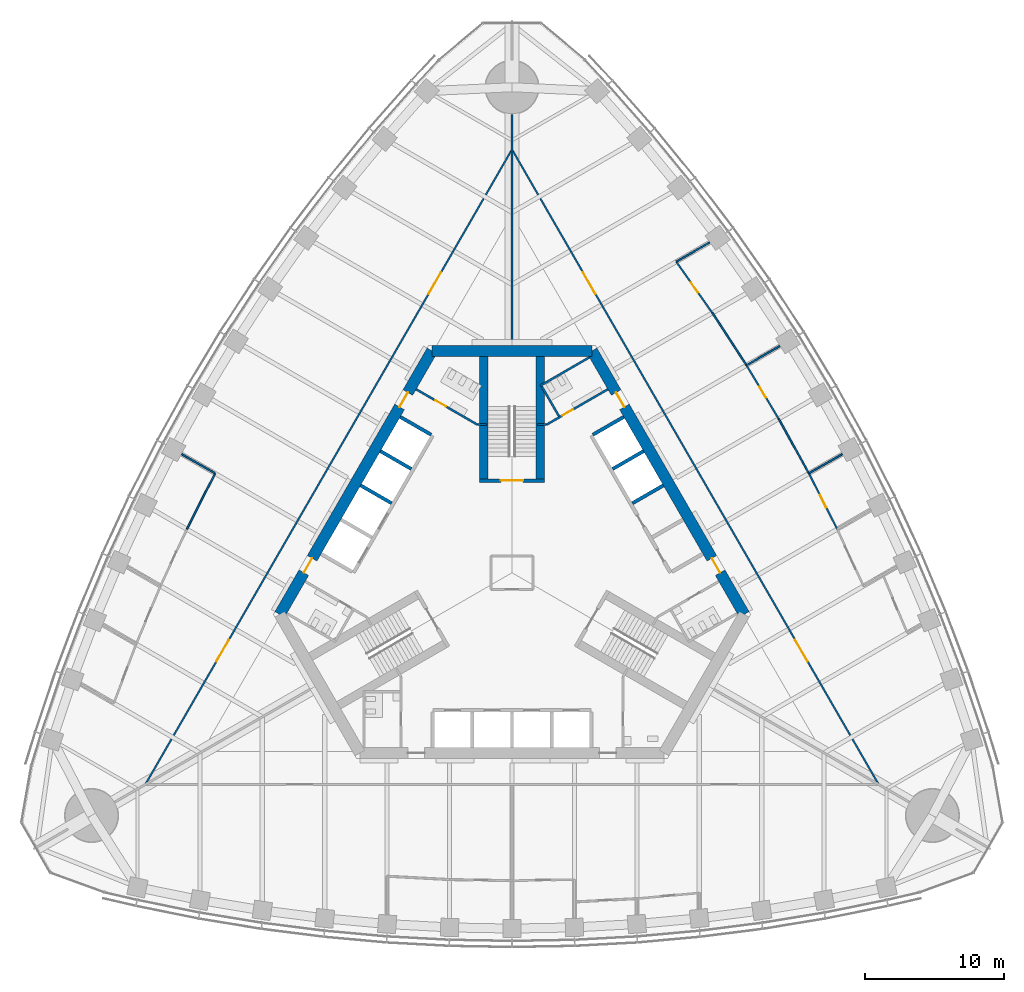
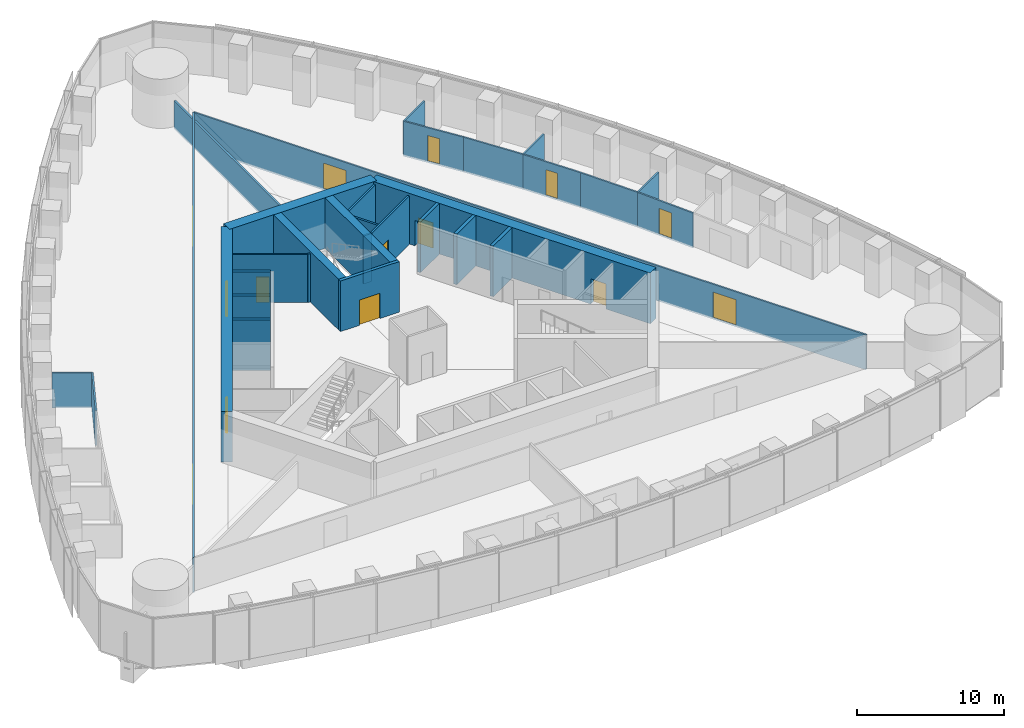
# One storey, part 13 of 19: 31 walls, 14 doors, 14 openings.
"""IFC4 building model written with IfcOpenShell, lengths in metres."""

from ifc_helpers import new_model, si_unit, direction, frame, frame_2d, origin, place, context, subcontext, project, spatial, rectangle, extrude, material, layer, layer_set, type_object, element, fill, save


model = new_model("IFC4")

# Units and contexts
model_context = context("Model", 3, precision=1e-05, world=origin(), true_north=direction((0.0, 1.0)))
body_context = subcontext(model_context, "Body", "Model", "MODEL_VIEW")
ifc_project = project(units=[si_unit("LENGTHUNIT", "METRE"), si_unit("AREAUNIT", "SQUARE_METRE"), si_unit("VOLUMEUNIT", "CUBIC_METRE"), si_unit("PLANEANGLEUNIT", "RADIAN"), si_unit("MASSUNIT", "GRAM", prefix="KILO")], contexts=[model_context])

# Site, building, storey
site_placement = place(None, origin())
site = spatial("IfcSite", under=ifc_project, at=site_placement, CompositionType="ELEMENT")
building_placement = place(site_placement, origin())
building = spatial("IfcBuilding", under=site, at=building_placement, Name="Trefoil Bronze Tower", CompositionType="ELEMENT")
storey_placement = place(building_placement, frame((0.0, 0.0, 119.89990234375)))
storey = spatial("IfcBuildingStorey", under=building, at=storey_placement, Name="L27", CompositionType="ELEMENT", Elevation=119.89990234375)

# Wall, openings, doors
ifc_material_1 = material(Name="Concrete B80", Category="concrete")
ifc_layer_1 = layer(ifc_material_1, 0.800048828125)
ifc_layer_set_1 = layer_set([ifc_layer_1], Name="Core wall 800")
wall_type_1 = type_object("IfcWallType", Name="Core wall 800", PredefinedType="SHEAR", material=ifc_layer_set_1)
wall_1_placement = place(storey_placement, frame((16.7431640625, -3.0, 0.0), z_axis=(0.0, 0.0, 1.0), x_axis=(-0.500002442456, 0.866023993627, 0.0)))
wall_1 = element("IfcWall", 1, at=wall_1_placement, inside=storey, type_object=wall_type_1, Name="Core long wall 2 L27", PredefinedType="SHEAR", context=body_context, shape_type="SweptSolid", body=[
    extrude(rectangle(XDim=21.939453125, YDim=0.800048828125, at=frame_2d((10.9697265625, 0.0))), origin(), (0.0, 0.0, 1.0), 4.2001953125),
])
opening_1_placement = place(wall_1_placement, frame((17.269775390625, 0.0, 0.0)))
opening_1 = element("IfcOpeningElement", 2, at=opening_1_placement, cuts=wall_1, Name="Opening D2", PredefinedType="OPENING", context=body_context, shape_type="SweptSolid", body=[
    extrude(rectangle(XDim=1.199951171875, YDim=2.10009765625, at=frame_2d((0.60009765625, 1.050048828125))), frame((0.0, 0.409912109375, 0.0), z_axis=(0.0, -1.0, 0.0), x_axis=(1.0, 0.0, 0.0)), (0.0, 0.0, 1.0), 0.820068359375),
])
opening_2_placement = place(wall_1_placement, frame((3.4697265625, 0.0, 0.0)))
opening_2 = element("IfcOpeningElement", 3, at=opening_2_placement, cuts=wall_1, Name="Opening D2", PredefinedType="OPENING", context=body_context, shape_type="SweptSolid", body=[
    extrude(rectangle(XDim=1.199951171875, YDim=2.10009765625, at=frame_2d((0.60009765625, 1.050048828125))), frame((0.0, 0.409912109375, 0.0), z_axis=(0.0, -1.0, 0.0), x_axis=(1.0, 0.0, 0.0)), (0.0, 0.0, 1.0), 0.820068359375),
])
ifc_material_2 = material(Name="Steel door", Category="steel")
door_type_1 = type_object("IfcDoorType", Name="Lobby door 1200", OperationType="SINGLE_SWING_RIGHT", PredefinedType="DOOR", material=ifc_material_2)
door_1_placement = place(opening_1_placement, origin())
door_1 = element("IfcDoor", 4, at=door_1_placement, inside=storey, type_object=door_type_1, Name="Lobby door F2+ L27", OperationType="SINGLE_SWING_RIGHT", OverallHeight=2.10009765625, OverallWidth=1.199951171875, PredefinedType="DOOR", context=body_context, shape_type="SweptSolid", body=[
    extrude(rectangle(XDim=1.199951171875, YDim=2.10009765625, at=frame_2d((0.60009765625, 1.050048828125))), frame((0.0, 0.02490234375, 0.0), z_axis=(0.0, -1.0, 0.0), x_axis=(1.0, 0.0, 0.0)), (0.0, 0.0, 1.0), 0.050048828125),
])
fill(opening_1, door_1)
door_2_placement = place(opening_2_placement, origin())
door_2 = element("IfcDoor", 5, at=door_2_placement, inside=storey, type_object=door_type_1, Name="Lobby door F2- L27", OperationType="SINGLE_SWING_LEFT", OverallHeight=2.10009765625, OverallWidth=1.199951171875, PredefinedType="DOOR", context=body_context, shape_type="SweptSolid", body=[
    extrude(rectangle(XDim=1.199951171875, YDim=2.10009765625, at=frame_2d((0.60009765625, 1.050048828125))), frame((0.0, 0.02490234375, 0.0), z_axis=(0.0, -1.0, 0.0), x_axis=(1.0, 0.0, 0.0)), (0.0, 0.0, 1.0), 0.050048828125),
])
fill(opening_2, door_2)

# Wall
wall_2_placement = place(storey_placement, frame((5.7734375, 16.0, 0.0), z_axis=(0.0, 0.0, 1.0), x_axis=(-1.0, 0.0, 0.0)))
element("IfcWall", 6, at=wall_2_placement, inside=storey, type_object=wall_type_1, Name="Core short wall 2 L27", PredefinedType="SHEAR", context=body_context, shape_type="SweptSolid", body=[
    extrude(rectangle(XDim=11.546875, YDim=0.800048828125, at=frame_2d((5.7734375, 0.0))), origin(), (0.0, 0.0, 1.0), 4.2001953125),
])

# Wall, openings, doors
wall_3_placement = place(storey_placement, frame((-5.7734375, 16.0, 0.0), z_axis=(0.0, 0.0, 1.0), x_axis=(-0.500002442456, -0.866023993627, 0.0)))
wall_3 = element("IfcWall", 7, at=wall_3_placement, inside=storey, type_object=wall_type_1, Name="Core long wall 3 L27", PredefinedType="SHEAR", context=body_context, shape_type="SweptSolid", body=[
    extrude(rectangle(XDim=21.939453125, YDim=0.800048828125, at=frame_2d((10.9697265625, 0.0))), origin(), (0.0, 0.0, 1.0), 4.2001953125),
])
opening_3_placement = place(wall_3_placement, frame((17.269775390625, 0.0, 0.0)))
opening_3 = element("IfcOpeningElement", 8, at=opening_3_placement, cuts=wall_3, Name="Opening D2", PredefinedType="OPENING", context=body_context, shape_type="SweptSolid", body=[
    extrude(rectangle(XDim=1.199951171875, YDim=2.10009765625, at=frame_2d((0.60009765625, 1.050048828125))), frame((0.0, 0.409912109375, 0.0), z_axis=(0.0, -1.0, 0.0), x_axis=(1.0, 0.0, 0.0)), (0.0, 0.0, 1.0), 0.820068359375),
])
opening_4_placement = place(wall_3_placement, frame((3.4697265625, 0.0, 0.0)))
opening_4 = element("IfcOpeningElement", 9, at=opening_4_placement, cuts=wall_3, Name="Opening D2", PredefinedType="OPENING", context=body_context, shape_type="SweptSolid", body=[
    extrude(rectangle(XDim=1.199951171875, YDim=2.10009765625, at=frame_2d((0.60009765625, 1.050048828125))), frame((0.0, 0.409912109375, 0.0), z_axis=(0.0, -1.0, 0.0), x_axis=(1.0, 0.0, 0.0)), (0.0, 0.0, 1.0), 0.820068359375),
])
door_3_placement = place(opening_3_placement, origin())
door_3 = element("IfcDoor", 10, at=door_3_placement, inside=storey, type_object=door_type_1, Name="Lobby door F3+ L27", OperationType="SINGLE_SWING_RIGHT", OverallHeight=2.10009765625, OverallWidth=1.199951171875, PredefinedType="DOOR", context=body_context, shape_type="SweptSolid", body=[
    extrude(rectangle(XDim=1.199951171875, YDim=2.10009765625, at=frame_2d((0.60009765625, 1.050048828125))), frame((0.0, 0.02490234375, 0.0), z_axis=(0.0, -1.0, 0.0), x_axis=(1.0, 0.0, 0.0)), (0.0, 0.0, 1.0), 0.050048828125),
])
fill(opening_3, door_3)
door_4_placement = place(opening_4_placement, origin())
door_4 = element("IfcDoor", 11, at=door_4_placement, inside=storey, type_object=door_type_1, Name="Lobby door F3- L27", OperationType="SINGLE_SWING_LEFT", OverallHeight=2.10009765625, OverallWidth=1.199951171875, PredefinedType="DOOR", context=body_context, shape_type="SweptSolid", body=[
    extrude(rectangle(XDim=1.199951171875, YDim=2.10009765625, at=frame_2d((0.60009765625, 1.050048828125))), frame((0.0, 0.02490234375, 0.0), z_axis=(0.0, -1.0, 0.0), x_axis=(1.0, 0.0, 0.0)), (0.0, 0.0, 1.0), 0.050048828125),
])
fill(opening_4, door_4)

ifc_material_3 = material(Name="Glazed partition", Category="glass")
ifc_layer_2 = layer(ifc_material_3, 0.1201171875)
ifc_layer_set_2 = layer_set([ifc_layer_2], Name="Glazed partition 120")
wall_type_2 = type_object("IfcWallType", Name="Glazed partition 120", PredefinedType="PARTITIONING", material=ifc_layer_set_2)
wall_4_placement = place(storey_placement, frame((26.41455078125, -15.2314453125, 0.0), z_axis=(0.0, 0.0, 1.0), x_axis=(-0.50000091641, 0.866024874695, 0.0)))
wall_4 = element("IfcWall", 12, at=wall_4_placement, inside=storey, type_object=wall_type_2, Name="Partition F2 L27", PredefinedType="PARTITIONING", context=body_context, shape_type="SweptSolid", body=[
    extrude(rectangle(XDim=52.79638671875, YDim=0.1201171875, at=frame_2d((26.398193359375, 0.0))), origin(), (0.0, 0.0, 1.0), 2.900146484375),
])
opening_5_placement = place(wall_4_placement, frame((10.199951171875, 0.0, 0.14990234375)))
opening_5 = element("IfcOpeningElement", 13, at=opening_5_placement, cuts=wall_4, Name="Opening D10", PredefinedType="OPENING", context=body_context, shape_type="SweptSolid", body=[
    extrude(rectangle(XDim=1.800048828125, YDim=2.10009765625, at=frame_2d((0.89990234375, 1.050048828125))), frame((0.0, 0.070068359375, 0.0), z_axis=(0.0, -1.0, 0.0), x_axis=(1.0, 0.0, 0.0)), (0.0, 0.0, 1.0), 0.14013671875),
])
opening_6_placement = place(wall_4_placement, frame((40.800048828125, 0.0, 0.14990234375)))
opening_6 = element("IfcOpeningElement", 14, at=opening_6_placement, cuts=wall_4, Name="Opening D10", PredefinedType="OPENING", context=body_context, shape_type="SweptSolid", body=[
    extrude(rectangle(XDim=1.800048828125, YDim=2.10009765625, at=frame_2d((0.89990234375, 1.050048828125))), frame((0.0, 0.070068359375, 0.0), z_axis=(0.0, -1.0, 0.0), x_axis=(1.0, 0.0, 0.0)), (0.0, 0.0, 1.0), 0.14013671875),
])
ifc_material_4 = material(Name="Timber door", Category="wood")
door_type_2 = type_object("IfcDoorType", Name="Double door 1800", OperationType="DOUBLE_DOOR_SINGLE_SWING", PredefinedType="DOOR", material=ifc_material_4)
door_5_placement = place(opening_5_placement, frame((1.800048828125, 0.0, 0.0), z_axis=(0.0, 0.0, 1.0), x_axis=(-1.0, 0.0, 0.0)))
door_5 = element("IfcDoor", 15, at=door_5_placement, inside=storey, type_object=door_type_2, Name="Corridor door F2 L27", OperationType="DOUBLE_DOOR_SINGLE_SWING", OverallHeight=2.10009765625, OverallWidth=1.800048828125, PredefinedType="DOOR", context=body_context, shape_type="SweptSolid", body=[
    extrude(rectangle(XDim=1.800048828125, YDim=2.10009765625, at=frame_2d((0.89990234375, 1.050048828125))), frame((0.0, 0.02490234375, 0.0), z_axis=(0.0, -1.0, 0.0), x_axis=(1.0, 0.0, 0.0)), (0.0, 0.0, 1.0), 0.050048828125),
])
fill(opening_5, door_5)
door_6_placement = place(opening_6_placement, frame((1.800048828125, 0.0, 0.0), z_axis=(0.0, 0.0, 1.0), x_axis=(-1.0, 0.0, 0.0)))
door_6 = element("IfcDoor", 16, at=door_6_placement, inside=storey, type_object=door_type_2, Name="Corridor door F2 L27", OperationType="DOUBLE_DOOR_SINGLE_SWING", OverallHeight=2.10009765625, OverallWidth=1.800048828125, PredefinedType="DOOR", context=body_context, shape_type="SweptSolid", body=[
    extrude(rectangle(XDim=1.800048828125, YDim=2.10009765625, at=frame_2d((0.89990234375, 1.050048828125))), frame((0.0, 0.02490234375, 0.0), z_axis=(0.0, -1.0, 0.0), x_axis=(1.0, 0.0, 0.0)), (0.0, 0.0, 1.0), 0.050048828125),
])
fill(opening_6, door_6)

# Wall, opening, door
wall_5_placement = place(storey_placement, frame((19.2255859375, 11.099853515625, 0.0), z_axis=(0.0, 0.0, 1.0), x_axis=(-0.515548366618, 0.856860479703, 0.0)))
wall_5 = element("IfcWall", 17, at=wall_5_placement, inside=storey, type_object=wall_type_2, Name="Partition F2 L27", PredefinedType="PARTITIONING", context=body_context, shape_type="SweptSolid", body=[
    extrude(rectangle(XDim=4.500732421875, YDim=0.1201171875, at=frame_2d((2.25048828125, 0.0))), origin(), (0.0, 0.0, 1.0), 2.900146484375),
])
opening_7_placement = place(wall_5_placement, frame((1.800048828125, 0.0, 0.14990234375)))
opening_7 = element("IfcOpeningElement", 18, at=opening_7_placement, cuts=wall_5, Name="Opening D8", PredefinedType="OPENING", context=body_context, shape_type="SweptSolid", body=[
    extrude(rectangle(XDim=0.89990234375, YDim=2.10009765625, at=frame_2d((0.449951171875, 1.050048828125))), frame((0.0, 0.070068359375, 0.0), z_axis=(0.0, -1.0, 0.0), x_axis=(1.0, 0.0, 0.0)), (0.0, 0.0, 1.0), 0.14013671875),
])
ifc_material_5 = material(Name="Timber door", Category="wood")
door_type_3 = type_object("IfcDoorType", Name="Office door 900", OperationType="SINGLE_SWING_LEFT", PredefinedType="DOOR", material=ifc_material_5)
door_7_placement = place(opening_7_placement, frame((0.89990234375, 0.0, 0.0), z_axis=(0.0, 0.0, 1.0), x_axis=(-1.0, 0.0, 0.0)))
door_7 = element("IfcDoor", 19, at=door_7_placement, inside=storey, type_object=door_type_3, Name="Office door F2 L27", OperationType="SINGLE_SWING_RIGHT", OverallHeight=2.10009765625, OverallWidth=0.89990234375, PredefinedType="DOOR", context=body_context, shape_type="SweptSolid", body=[
    extrude(rectangle(XDim=0.89990234375, YDim=2.10009765625, at=frame_2d((0.449951171875, 1.050048828125))), frame((0.0, 0.02490234375, 0.0), z_axis=(0.0, -1.0, 0.0), x_axis=(1.0, 0.0, 0.0)), (0.0, 0.0, 1.0), 0.050048828125),
])
fill(opening_7, door_7)

# Wall
wall_6_placement = place(storey_placement, frame((16.9052734375, 14.956298828125, 0.0), z_axis=(0.0, 0.0, 1.0), x_axis=(-0.546069464151, 0.837739900161, 0.0)))
element("IfcWall", 20, at=wall_6_placement, inside=storey, type_object=wall_type_2, Name="Partition F2 L27", PredefinedType="PARTITIONING", context=body_context, shape_type="SweptSolid", body=[
    extrude(rectangle(XDim=4.506591796875, YDim=0.1201171875, at=frame_2d((2.25341796875, 0.0))), origin(), (0.0, 0.0, 1.0), 2.900146484375),
])

# Wall, opening, door
wall_7_placement = place(storey_placement, frame((14.4443359375, 18.731689453125, 0.0), z_axis=(0.0, 0.0, 1.0), x_axis=(-0.576023283708, 0.817433285734, 0.0)))
wall_7 = element("IfcWall", 21, at=wall_7_placement, inside=storey, type_object=wall_type_2, Name="Partition F2 L27", PredefinedType="PARTITIONING", context=body_context, shape_type="SweptSolid", body=[
    extrude(rectangle(XDim=4.5185546875, YDim=0.1201171875, at=frame_2d((2.25927734375, 0.0))), origin(), (0.0, 0.0, 1.0), 2.900146484375),
])
opening_8_placement = place(wall_7_placement, frame((1.800048828125, 0.0, 0.14990234375)))
opening_8 = element("IfcOpeningElement", 22, at=opening_8_placement, cuts=wall_7, Name="Opening D8", PredefinedType="OPENING", context=body_context, shape_type="SweptSolid", body=[
    extrude(rectangle(XDim=0.89990234375, YDim=2.10009765625, at=frame_2d((0.449951171875, 1.050048828125))), frame((0.0, 0.070068359375, 0.0), z_axis=(0.0, -1.0, 0.0), x_axis=(1.0, 0.0, 0.0)), (0.0, 0.0, 1.0), 0.14013671875),
])
door_8_placement = place(opening_8_placement, frame((0.89990234375, 0.0, 0.0), z_axis=(0.0, 0.0, 1.0), x_axis=(-1.0, 0.0, 0.0)))
door_8 = element("IfcDoor", 23, at=door_8_placement, inside=storey, type_object=door_type_3, Name="Office door F2 L27", OperationType="SINGLE_SWING_RIGHT", OverallHeight=2.10009765625, OverallWidth=0.89990234375, PredefinedType="DOOR", context=body_context, shape_type="SweptSolid", body=[
    extrude(rectangle(XDim=0.89990234375, YDim=2.10009765625, at=frame_2d((0.449951171875, 1.050048828125))), frame((0.0, 0.02490234375, 0.0), z_axis=(0.0, -1.0, 0.0), x_axis=(1.0, 0.0, 0.0)), (0.0, 0.0, 1.0), 0.050048828125),
])
fill(opening_8, door_8)

# Wall
wall_8_placement = place(storey_placement, frame((21.4052734375, 7.162109375, 0.0), z_axis=(0.0, 0.0, 1.0), x_axis=(-0.484292898211, 0.874905931368, 0.0)))
element("IfcWall", 24, at=wall_8_placement, inside=storey, type_object=wall_type_2, Name="Partition F2 L27", PredefinedType="PARTITIONING", context=body_context, shape_type="SweptSolid", body=[
    extrude(rectangle(XDim=4.500732421875, YDim=0.1201171875, at=frame_2d((2.25048828125, 0.0))), origin(), (0.0, 0.0, 1.0), 2.900146484375),
])

# Wall, opening, door
wall_9_placement = place(storey_placement, frame((23.4443359375, 3.143310546875, 0.0), z_axis=(0.0, 0.0, 1.0), x_axis=(-0.452471679136, 0.891778772779, 0.0)))
wall_9 = element("IfcWall", 25, at=wall_9_placement, inside=storey, type_object=wall_type_2, Name="Partition F2 L27", PredefinedType="PARTITIONING", context=body_context, shape_type="SweptSolid", body=[
    extrude(rectangle(XDim=4.506591796875, YDim=0.1201171875, at=frame_2d((2.25341796875, 0.0))), origin(), (0.0, 0.0, 1.0), 2.900146484375),
])
opening_9_placement = place(wall_9_placement, frame((1.75, 0.0, 0.14990234375)))
opening_9 = element("IfcOpeningElement", 26, at=opening_9_placement, cuts=wall_9, Name="Opening D9", PredefinedType="OPENING", context=body_context, shape_type="SweptSolid", body=[
    extrude(rectangle(XDim=1.0, YDim=2.10009765625, at=frame_2d((0.5, 1.050048828125))), frame((0.0, 0.070068359375, 0.0), z_axis=(0.0, -1.0, 0.0), x_axis=(1.0, 0.0, 0.0)), (0.0, 0.0, 1.0), 0.14013671875),
])
ifc_material_6 = material(Name="Glazed timber door", Category="wood")
door_type_4 = type_object("IfcDoorType", Name="Meeting room door 1000", OperationType="SINGLE_SWING_LEFT", PredefinedType="DOOR", material=ifc_material_6)
door_9_placement = place(opening_9_placement, frame((1.0, 0.0, 0.0), z_axis=(0.0, 0.0, 1.0), x_axis=(-1.0, 0.0, 0.0)))
door_9 = element("IfcDoor", 27, at=door_9_placement, inside=storey, type_object=door_type_4, Name="Meeting room door F2 L27", OperationType="SINGLE_SWING_RIGHT", OverallHeight=2.10009765625, OverallWidth=1.0, PredefinedType="DOOR", context=body_context, shape_type="SweptSolid", body=[
    extrude(rectangle(XDim=1.0, YDim=2.10009765625, at=frame_2d((0.5, 1.050048828125))), frame((0.0, 0.02490234375, 0.0), z_axis=(0.0, -1.0, 0.0), x_axis=(1.0, 0.0, 0.0)), (0.0, 0.0, 1.0), 0.050048828125),
])
fill(opening_9, door_9)

# Walls
wall_10_placement = place(storey_placement, frame((11.841552734375, 22.42529296875, 0.0), z_axis=(0.0, 0.0, 1.0), x_axis=(0.866053089527, 0.499952043821, 0.0)))
element("IfcWall", 28, at=wall_10_placement, inside=storey, type_object=wall_type_2, Name="Partition F2 L27", PredefinedType="PARTITIONING", context=body_context, shape_type="SweptSolid", body=[
    extrude(rectangle(XDim=2.761474609375, YDim=0.1201171875, at=frame_2d((1.380859375, 0.0))), origin(), (0.0, 0.0, 1.0), 2.900146484375),
])
for number, where, z_axis, x_axis, name in (
    (29, (16.9052734375, 14.956298828125, 0.0), (0.0, 0.0, 1.0), (0.866015261085, 0.500017567259, 0.0), "Partition F2 L27"),
    (30, (21.4052734375, 7.162109375, 0.0), (0.0, 0.0, 1.0), (0.866015261085, 0.500017567259, 0.0), "Partition F2 L27"),
):
    element("IfcWall", number, at=place(storey_placement, frame(where, z_axis=z_axis, x_axis=x_axis)), inside=storey, type_object=wall_type_2, Name=name, PredefinedType="PARTITIONING", context=body_context, shape_type="SweptSolid", body=[
        extrude(rectangle(XDim=2.76904296875, YDim=0.1201171875, at=frame_2d((1.384521484375, 0.0))), origin(), (0.0, 0.0, 1.0), 2.900146484375),
    ])

# Wall, openings, doors
wall_11_placement = place(storey_placement, frame((-0.016357421875, 30.491455078125, 0.0), z_axis=(0.0, 0.0, 1.0), x_axis=(-0.50000091641, -0.866024874695, 0.0)))
wall_11 = element("IfcWall", 31, at=wall_11_placement, inside=storey, type_object=wall_type_2, Name="Partition F3 L27", PredefinedType="PARTITIONING", context=body_context, shape_type="SweptSolid", body=[
    extrude(rectangle(XDim=52.79638671875, YDim=0.1201171875, at=frame_2d((26.398193359375, 0.0))), origin(), (0.0, 0.0, 1.0), 2.900146484375),
])
opening_10_placement = place(wall_11_placement, frame((10.199951171875, 0.0, 0.14990234375)))
opening_10 = element("IfcOpeningElement", 32, at=opening_10_placement, cuts=wall_11, Name="Opening D10", PredefinedType="OPENING", context=body_context, shape_type="SweptSolid", body=[
    extrude(rectangle(XDim=1.800048828125, YDim=2.10009765625, at=frame_2d((0.89990234375, 1.050048828125))), frame((0.0, 0.070068359375, 0.0), z_axis=(0.0, -1.0, 0.0), x_axis=(1.0, 0.0, 0.0)), (0.0, 0.0, 1.0), 0.14013671875),
])
opening_11_placement = place(wall_11_placement, frame((40.800048828125, 0.0, 0.14990234375)))
opening_11 = element("IfcOpeningElement", 33, at=opening_11_placement, cuts=wall_11, Name="Opening D10", PredefinedType="OPENING", context=body_context, shape_type="SweptSolid", body=[
    extrude(rectangle(XDim=1.800048828125, YDim=2.10009765625, at=frame_2d((0.89990234375, 1.050048828125))), frame((0.0, 0.070068359375, 0.0), z_axis=(0.0, -1.0, 0.0), x_axis=(1.0, 0.0, 0.0)), (0.0, 0.0, 1.0), 0.14013671875),
])
door_10_placement = place(opening_10_placement, frame((1.800048828125, 0.0, 0.0), z_axis=(0.0, 0.0, 1.0), x_axis=(-1.0, 0.0, 0.0)))
door_10 = element("IfcDoor", 34, at=door_10_placement, inside=storey, type_object=door_type_2, Name="Corridor door F3 L27", OperationType="DOUBLE_DOOR_SINGLE_SWING", OverallHeight=2.10009765625, OverallWidth=1.800048828125, PredefinedType="DOOR", context=body_context, shape_type="SweptSolid", body=[
    extrude(rectangle(XDim=1.800048828125, YDim=2.10009765625, at=frame_2d((0.89990234375, 1.050048828125))), frame((0.0, 0.02490234375, 0.0), z_axis=(0.0, -1.0, 0.0), x_axis=(1.0, 0.0, 0.0)), (0.0, 0.0, 1.0), 0.050048828125),
])
fill(opening_10, door_10)
door_11_placement = place(opening_11_placement, frame((1.800048828125, 0.0, 0.0), z_axis=(0.0, 0.0, 1.0), x_axis=(-1.0, 0.0, 0.0)))
door_11 = element("IfcDoor", 35, at=door_11_placement, inside=storey, type_object=door_type_2, Name="Corridor door F3 L27", OperationType="DOUBLE_DOOR_SINGLE_SWING", OverallHeight=2.10009765625, OverallWidth=1.800048828125, PredefinedType="DOOR", context=body_context, shape_type="SweptSolid", body=[
    extrude(rectangle(XDim=1.800048828125, YDim=2.10009765625, at=frame_2d((0.89990234375, 1.050048828125))), frame((0.0, 0.02490234375, 0.0), z_axis=(0.0, -1.0, 0.0), x_axis=(1.0, 0.0, 0.0)), (0.0, 0.0, 1.0), 0.050048828125),
])
fill(opening_11, door_11)

# Walls
wall_12_placement = place(storey_placement, frame((-21.4052734375, 7.162109375, 0.0), z_axis=(0.0, 0.0, 1.0), x_axis=(-0.452471679136, -0.891778772779, 0.0)))
element("IfcWall", 36, at=wall_12_placement, inside=storey, type_object=wall_type_2, Name="Partition F3 L27", PredefinedType="PARTITIONING", context=body_context, shape_type="SweptSolid", body=[
    extrude(rectangle(XDim=4.506591796875, YDim=0.1201171875, at=frame_2d((2.25341796875, 0.0))), origin(), (0.0, 0.0, 1.0), 2.900146484375),
])
wall_13_placement = place(storey_placement, frame((-21.4052734375, 7.162109375, 0.0), z_axis=(0.0, 0.0, 1.0), x_axis=(-0.866015261085, 0.500017567259, 0.0)))
element("IfcWall", 37, at=wall_13_placement, inside=storey, type_object=wall_type_2, Name="Partition F3 L27", PredefinedType="PARTITIONING", context=body_context, shape_type="SweptSolid", body=[
    extrude(rectangle(XDim=2.76904296875, YDim=0.1201171875, at=frame_2d((1.384521484375, 0.0))), origin(), (0.0, 0.0, 1.0), 2.900146484375),
])

# Wall, opening, door
ifc_material_7 = material(Name="Gypsum board on steel studs", Category="steel")
ifc_layer_3 = layer(ifc_material_7, 0.14990234375)
ifc_layer_set_3 = layer_set([ifc_layer_3], Name="Partition 150")
wall_type_3 = type_object("IfcWallType", Name="Partition 150", PredefinedType="PARTITIONING", material=ifc_layer_set_3)
wall_14_placement = place(storey_placement, frame((2.4951171875, 10.67822265625, 0.0), z_axis=(0.0, 0.0, 1.0), x_axis=(0.86602216432, 0.500005610874, 0.0)))
wall_14 = element("IfcWall", 38, at=wall_14_placement, inside=storey, type_object=wall_type_3, Name="Passage wall F2+ L27", PredefinedType="PARTITIONING", context=body_context, shape_type="SweptSolid", body=[
    extrude(rectangle(XDim=5.10009765625, YDim=0.14990234375, at=frame_2d((2.550048828125, 0.0))), origin(), (0.0, 0.0, 1.0), 4.0),
])
opening_12_placement = place(wall_14_placement, frame((1.300048828125, 0.0, 0.0)))
opening_12 = element("IfcOpeningElement", 39, at=opening_12_placement, cuts=wall_14, Name="Opening D3", PredefinedType="OPENING", context=body_context, shape_type="SweptSolid", body=[
    extrude(rectangle(XDim=0.89990234375, YDim=2.10009765625, at=frame_2d((0.449951171875, 1.050048828125))), frame((0.0, 0.0849609375, 0.0), z_axis=(0.0, -1.0, 0.0), x_axis=(1.0, 0.0, 0.0)), (0.0, 0.0, 1.0), 0.169921875),
])
ifc_material_8 = material(Name="Timber door", Category="wood")
door_type_5 = type_object("IfcDoorType", Name="WC door 900", OperationType="SINGLE_SWING_LEFT", PredefinedType="DOOR", material=ifc_material_8)
door_12_placement = place(opening_12_placement, origin())
door_12 = element("IfcDoor", 40, at=door_12_placement, inside=storey, type_object=door_type_5, Name="WC (men) door L27", OperationType="SINGLE_SWING_LEFT", OverallHeight=2.10009765625, OverallWidth=0.89990234375, PredefinedType="DOOR", context=body_context, shape_type="SweptSolid", body=[
    extrude(rectangle(XDim=0.89990234375, YDim=2.10009765625, at=frame_2d((0.449951171875, 1.050048828125))), frame((0.0, 0.02490234375, 0.0), z_axis=(0.0, -1.0, 0.0), x_axis=(1.0, 0.0, 0.0)), (0.0, 0.0, 1.0), 0.050048828125),
])
fill(opening_12, door_12)

wall_15_placement = place(storey_placement, frame((-2.4951171875, 10.67822265625, 0.0), z_axis=(0.0, 0.0, 1.0), x_axis=(-0.86602216432, 0.500005610874, 0.0)))
wall_15 = element("IfcWall", 41, at=wall_15_placement, inside=storey, type_object=wall_type_3, Name="Passage wall F3- L27", PredefinedType="PARTITIONING", context=body_context, shape_type="SweptSolid", body=[
    extrude(rectangle(XDim=5.10009765625, YDim=0.14990234375, at=frame_2d((2.550048828125, 0.0))), origin(), (0.0, 0.0, 1.0), 4.0),
])
opening_13_placement = place(wall_15_placement, frame((2.60009765625, 0.0, 0.0)))
opening_13 = element("IfcOpeningElement", 42, at=opening_13_placement, cuts=wall_15, Name="Opening D3", PredefinedType="OPENING", context=body_context, shape_type="SweptSolid", body=[
    extrude(rectangle(XDim=0.89990234375, YDim=2.10009765625, at=frame_2d((0.449951171875, 1.050048828125))), frame((0.0, 0.0849609375, 0.0), z_axis=(0.0, -1.0, 0.0), x_axis=(1.0, 0.0, 0.0)), (0.0, 0.0, 1.0), 0.169921875),
])
door_13_placement = place(opening_13_placement, frame((0.89990234375, 0.0, 0.0), z_axis=(0.0, 0.0, 1.0), x_axis=(-1.0, 0.0, 0.0)))
door_13 = element("IfcDoor", 43, at=door_13_placement, inside=storey, type_object=door_type_5, Name="WC (women) door L27", OperationType="SINGLE_SWING_LEFT", OverallHeight=2.10009765625, OverallWidth=0.89990234375, PredefinedType="DOOR", context=body_context, shape_type="SweptSolid", body=[
    extrude(rectangle(XDim=0.89990234375, YDim=2.10009765625, at=frame_2d((0.449951171875, 1.050048828125))), frame((0.0, 0.02490234375, 0.0), z_axis=(0.0, -1.0, 0.0), x_axis=(1.0, 0.0, 0.0)), (0.0, 0.0, 1.0), 0.050048828125),
])
fill(opening_13, door_13)

# Walls
for number, where, z_axis, x_axis, name in (
    (44, (2.4951171875, 10.67822265625, 0.0), (0.0, 0.0, 1.0), (-1.0, 0.0, 0.0), "WC wall ST2-1 L27"),
    (45, (-2.4951171875, 10.67822265625, 0.0), (0.0, 0.0, 1.0), (1.0, 0.0, 0.0), "WC wall ST2+1 L27"),
):
    element("IfcWall", number, at=place(storey_placement, frame(where, z_axis=z_axis, x_axis=x_axis)), inside=storey, type_object=wall_type_3, Name=name, PredefinedType="PARTITIONING", context=body_context, shape_type="SweptSolid", body=[
        extrude(rectangle(XDim=0.64501953125, YDim=0.14990234375, at=frame_2d((0.322509765625, 0.0))), origin(), (0.0, 0.0, 1.0), 4.0),
    ])
wall_16_placement = place(storey_placement, frame((2.03125, 13.48193359375, 0.0), z_axis=(0.0, 0.0, 1.0), x_axis=(0.866050731258, 0.499956128963, 0.0)))
element("IfcWall", 46, at=wall_16_placement, inside=storey, type_object=wall_type_3, Name="WC partition WC (men) L27", PredefinedType="PARTITIONING", context=body_context, shape_type="SweptSolid", body=[
    extrude(rectangle(XDim=4.099853515625, YDim=0.14990234375, at=frame_2d((2.0498046875, 0.0))), origin(), (0.0, 0.0, 1.0), 4.0),
])
wall_17_placement = place(storey_placement, frame((3.388671875, 11.28076171875, 0.0), z_axis=(0.0, 0.0, 1.0), x_axis=(-0.499989096993, 0.866031698547, 0.0)))
element("IfcWall", 47, at=wall_17_placement, inside=storey, type_object=wall_type_3, Name="WC partition WC (men) L27", PredefinedType="PARTITIONING", context=body_context, shape_type="SweptSolid", body=[
    extrude(rectangle(XDim=2.509765625, YDim=0.14990234375, at=frame_2d((1.2548828125, 0.0))), origin(), (0.0, 0.0, 1.0), 4.0),
])
ifc_material_9 = material(Name="Gypsum board on steel studs", Category="steel")
ifc_layer_4 = layer(ifc_material_9, 0.14990234375)
ifc_layer_set_4 = layer_set([ifc_layer_4], Name="Party wall 150")
wall_type_4 = type_object("IfcWallType", Name="Party wall 150", PredefinedType="PARTITIONING", material=ifc_layer_set_4)
wall_18_placement = place(storey_placement, frame((0.0, 16.39990234375, 0.0), z_axis=(0.0, 0.0, 1.0), x_axis=(0.0, 1.0, 0.0)))
element("IfcWall", 48, at=wall_18_placement, inside=storey, type_object=wall_type_4, Name="Party wall K2 L27", PredefinedType="PARTITIONING", context=body_context, shape_type="SweptSolid", body=[
    extrude(rectangle(XDim=16.650146484375, YDim=0.14990234375, at=frame_2d((8.3251953125, 0.0))), origin(), (0.0, 0.0, 1.0), 2.300048828125),
])
ifc_material_10 = material(Name="Concrete B80", Category="concrete")
ifc_layer_5 = layer(ifc_material_10, 0.25)
ifc_layer_set_5 = layer_set([ifc_layer_5], Name="Shaft wall 250")
wall_type_5 = type_object("IfcWallType", Name="Shaft wall 250", PredefinedType="SHEAR", material=ifc_layer_set_5)
for number, where, z_axis, x_axis, name in (
    (49, (8.681884765625, 5.012451171875, 0.0), (0.0, 0.0, 1.0), (0.866005588531, 0.500034319456, 0.0), "Lift shaft side wall B2 L27"),
    (50, (7.2568359375, 7.480712890625, 0.0), (0.0, 0.0, 1.0), (0.866046643894, 0.499963209246, 0.0), "Lift shaft side wall B3 L27"),
):
    element("IfcWall", number, at=place(storey_placement, frame(where, z_axis=z_axis, x_axis=x_axis)), inside=storey, type_object=wall_type_5, Name=name, PredefinedType="SHEAR", context=body_context, shape_type="SweptSolid", body=[
        extrude(rectangle(XDim=2.574951171875, YDim=0.25, at=frame_2d((1.28759765625, 0.0))), origin(), (0.0, 0.0, 1.0), 4.2001953125),
    ])
for number, where, z_axis, x_axis, name in (
    (51, (5.831787109375, 9.94873046875, 0.0), (0.0, 0.0, 1.0), (0.866029291668, 0.499993265928, 0.0), "Lift shaft side wall B4 L27"),
    (52, (-5.831787109375, 9.94873046875, 0.0), (0.0, 0.0, 1.0), (-0.866029291668, 0.499993265928, 0.0), "Lift shaft side wall C0 L27"),
):
    element("IfcWall", number, at=place(storey_placement, frame(where, z_axis=z_axis, x_axis=x_axis)), inside=storey, type_object=wall_type_5, Name=name, PredefinedType="SHEAR", context=body_context, shape_type="SweptSolid", body=[
        extrude(rectangle(XDim=2.5751953125, YDim=0.25, at=frame_2d((1.28759765625, 0.0))), origin(), (0.0, 0.0, 1.0), 4.2001953125),
    ])
for number, where, z_axis, x_axis, name in (
    (53, (-7.2568359375, 7.480712890625, 0.0), (0.0, 0.0, 1.0), (-0.866046643894, 0.499963209246, 0.0), "Lift shaft side wall C1 L27"),
    (54, (-8.681884765625, 5.012451171875, 0.0), (0.0, 0.0, 1.0), (-0.866005588531, 0.500034319456, 0.0), "Lift shaft side wall C2 L27"),
):
    element("IfcWall", number, at=place(storey_placement, frame(where, z_axis=z_axis, x_axis=x_axis)), inside=storey, type_object=wall_type_5, Name=name, PredefinedType="SHEAR", context=body_context, shape_type="SweptSolid", body=[
        extrude(rectangle(XDim=2.574951171875, YDim=0.25, at=frame_2d((1.28759765625, 0.0))), origin(), (0.0, 0.0, 1.0), 4.2001953125),
    ])

# Wall, opening, door
wall_19_placement = place(storey_placement, frame((2.324951171875, 6.64990234375, 0.0), z_axis=(0.0, 0.0, 1.0), x_axis=(-1.0, 0.0, 0.0)))
wall_19 = element("IfcWall", 55, at=wall_19_placement, inside=storey, type_object=wall_type_5, Name="Stair end wall ST2 L27", PredefinedType="SHEAR", context=body_context, shape_type="SweptSolid", body=[
    extrude(rectangle(XDim=4.64990234375, YDim=0.25, at=frame_2d((2.324951171875, 0.0))), origin(), (0.0, 0.0, 1.0), 4.2001953125),
])
opening_14_placement = place(wall_19_placement, frame((1.52490234375, 0.0, 0.0)))
opening_14 = element("IfcOpeningElement", 56, at=opening_14_placement, cuts=wall_19, Name="Opening D1", PredefinedType="OPENING", context=body_context, shape_type="SweptSolid", body=[
    extrude(rectangle(XDim=1.60009765625, YDim=2.10009765625, at=frame_2d((0.800048828125, 1.050048828125))), frame((0.0, 0.135009765625, 0.0), z_axis=(0.0, -1.0, 0.0), x_axis=(1.0, 0.0, 0.0)), (0.0, 0.0, 1.0), 0.27001953125),
])
ifc_material_11 = material(Name="Steel door", Category="steel")
door_type_6 = type_object("IfcDoorType", Name="Stair door 1600", OperationType="DOUBLE_DOOR_SINGLE_SWING", PredefinedType="DOOR", material=ifc_material_11)
door_14_placement = place(opening_14_placement, frame((1.60009765625, 0.0, 0.0), z_axis=(0.0, 0.0, 1.0), x_axis=(-1.0, 0.0, 0.0)))
door_14 = element("IfcDoor", 57, at=door_14_placement, inside=storey, type_object=door_type_6, Name="Stair door ST2 L27", OperationType="DOUBLE_DOOR_SINGLE_SWING", OverallHeight=2.10009765625, OverallWidth=1.60009765625, PredefinedType="DOOR", context=body_context, shape_type="SweptSolid", body=[
    extrude(rectangle(XDim=1.60009765625, YDim=2.10009765625, at=frame_2d((0.800048828125, 1.050048828125))), frame((0.0, 0.02490234375, 0.0), z_axis=(0.0, -1.0, 0.0), x_axis=(1.0, 0.0, 0.0)), (0.0, 0.0, 1.0), 0.050048828125),
])
fill(opening_14, door_14)

# Walls
ifc_material_12 = material(Name="Concrete B80", Category="concrete")
ifc_layer_6 = layer(ifc_material_12, 0.60009765625)
ifc_layer_set_6 = layer_set([ifc_layer_6], Name="Stair wall 600")
wall_type_6 = type_object("IfcWallType", Name="Stair wall 600", PredefinedType="SHEAR", material=ifc_layer_set_6)
for number, where, z_axis, x_axis, name in (
    (58, (2.02490234375, 6.52490234375, 0.0), (0.0, 0.0, 1.0), (0.0, 1.0, 0.0), "Stair wall ST2 L27"),
    (59, (-2.02490234375, 6.52490234375, 0.0), (0.0, 0.0, 1.0), (0.0, 1.0, 0.0), "Stair wall ST2 L27"),
):
    element("IfcWall", number, at=place(storey_placement, frame(where, z_axis=z_axis, x_axis=x_axis)), inside=storey, type_object=wall_type_6, Name=name, PredefinedType="SHEAR", context=body_context, shape_type="SweptSolid", body=[
        extrude(rectangle(XDim=9.0751953125, YDim=0.60009765625, at=frame_2d((4.53759765625, 0.0))), origin(), (0.0, 0.0, 1.0), 4.2001953125),
    ])

save(model, "model.ifc")
